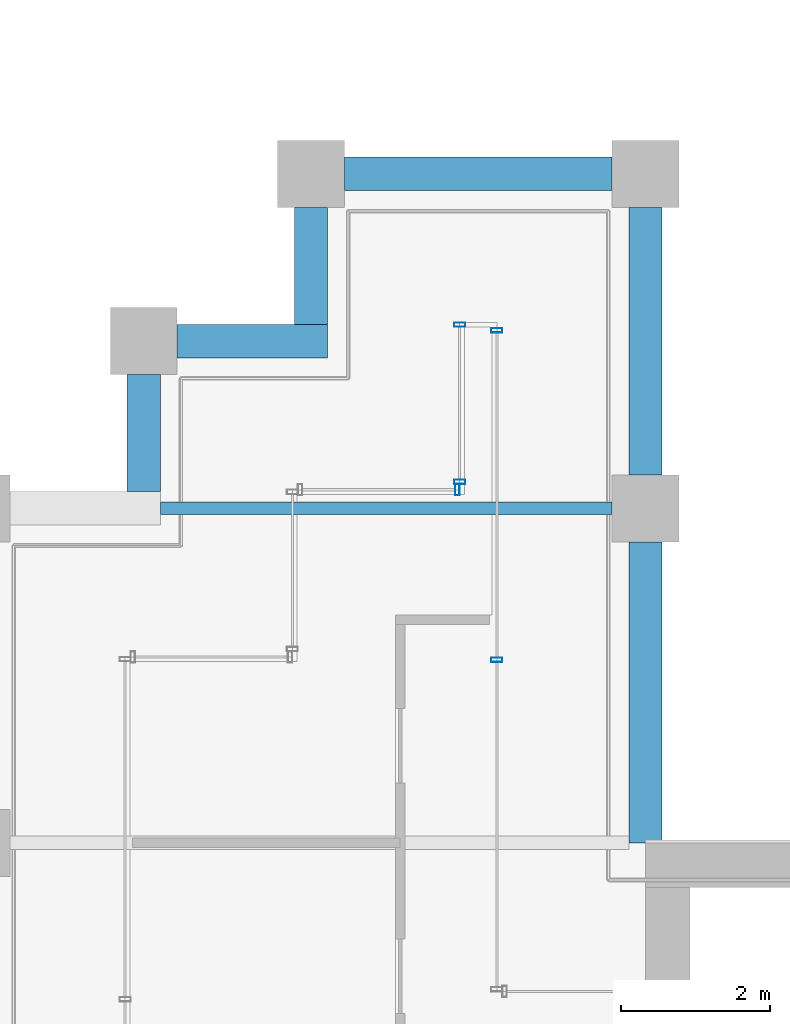
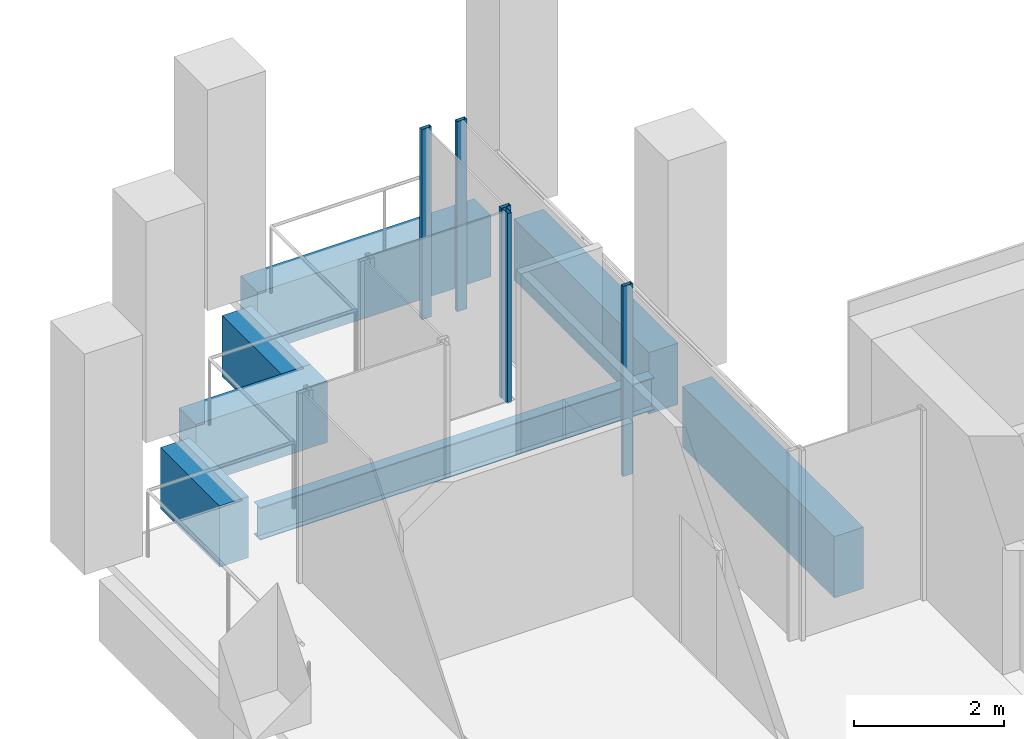
# One storey, part 33 of 40: 7 beams, 5 members, 3 elements without a shape of their own.
"""IFC4 building model written with IfcOpenShell, lengths in metres."""

from ifc_helpers import new_model, si_unit, direction, frame, origin, origin_2d, place, context, subcontext, project, spatial, rectangle, hollow_rectangle, i_section, extrude, material, material_profile, profile_set, type_object, element, aggregate, save


model = new_model("IFC4")

# Units and contexts
model_context = context("Model", 3, precision=1e-05, world=origin(), true_north=direction((0.0, 1.0)))
body_context = subcontext(model_context, "Body", "Model", "MODEL_VIEW")
ifc_project = project(units=[si_unit("LENGTHUNIT", "METRE"), si_unit("AREAUNIT", "SQUARE_METRE"), si_unit("VOLUMEUNIT", "CUBIC_METRE"), si_unit("PLANEANGLEUNIT", "RADIAN"), si_unit("MASSUNIT", "GRAM", prefix="KILO")], contexts=[model_context])

# Site, building, storey
site_placement = place(None, origin())
site = spatial("IfcSite", under=ifc_project, at=site_placement, CompositionType="ELEMENT")
building_placement = place(site_placement, origin())
building = spatial("IfcBuilding", under=site, at=building_placement, Name="Altepetl Exchange Towers", CompositionType="ELEMENT")
storey_placement = place(building_placement, frame((0.0, 0.0, 183.39990234375)))
storey = spatial("IfcBuildingStorey", under=building, at=storey_placement, Name="L46", CompositionType="ELEMENT", Elevation=183.39990234375)

# Beam
ifc_material_1 = material(Name="Steel S355", Category="steel")
ifc_material_profile_1 = material_profile(ifc_material_1, i_section(OverallWidth=0.166015625, OverallDepth=0.529052734375, WebThickness=0.009765625, FlangeThickness=0.013671875, at=origin_2d()), Name="W21X50")
ifc_profile_set_1 = profile_set([ifc_material_profile_1], Name="Steel S355")
beam_type_1 = type_object("IfcBeamType", Name="Floor beam W21X50", PredefinedType="BEAM", material=ifc_profile_set_1)
beam_1_placement = place(storey_placement, frame((96.97509765625, 54.0, -0.414306640625), z_axis=(1.0, 0.0, 0.0), x_axis=(0.0, 1.0, 0.0)))
element("IfcBeam", 1, at=beam_1_placement, inside=storey, type_object=beam_type_1, Name="bm:B:L46:007", PredefinedType="BEAM", context=body_context, shape_type="SweptSolid", body=[
    extrude(i_section(OverallWidth=0.166015625, OverallDepth=0.529052734375, WebThickness=0.009765625, FlangeThickness=0.013671875, at=origin_2d()), origin(), (0.0, 0.0, 1.0), 6.074951171875),
])

# Curtain wall, members
ifc_material_2 = material(Name="Aluminium 6063-T6 glazing", Category="aluminium")
curtain_wall_type = type_object("IfcCurtainWallType", Name="Loggia glazing system", PredefinedType="NOTDEFINED", material=ifc_material_2)
curtain_wall_1_placement = place(storey_placement, origin())
curtain_wall_1 = element("IfcCurtainWall", 2, at=curtain_wall_1_placement, inside=storey, type_object=curtain_wall_type, Name="CW1 run", PredefinedType="NOTDEFINED")
ifc_material_3 = material(Name="Aluminium 6063-T6", Category="aluminium")
ifc_material_profile_2 = material_profile(ifc_material_3, hollow_rectangle(XDim=0.06005859375, YDim=0.14990234375, WallThickness=0.0029296875, at=origin_2d()), Name="Mullion 60x150 aluminium")
ifc_profile_set_2 = profile_set([ifc_material_profile_2], Name="Aluminium 6063-T6")
member_type = type_object("IfcMemberType", Name="Mullion 60x150 aluminium", PredefinedType="MULLION", material=ifc_profile_set_2)
member_1_placement = place(storey_placement, frame((101.5, 51.96240234375, 0.0), z_axis=(0.0, 0.0, 1.0), x_axis=(0.0, 1.0, 0.0)))
member_1 = element("IfcMember", 3, at=member_1_placement, type_object=member_type, Name="MU1 mullion", PredefinedType="MULLION", context=body_context, shape_type="SweptSolid", body=[
    extrude(hollow_rectangle(XDim=0.06005859375, YDim=0.14990234375, WallThickness=0.0029296875, at=origin_2d()), origin(), (0.0, 0.0, 1.0), 3.10009765625),
])
member_2_placement = place(storey_placement, frame((101.5, 56.39501953125, 0.0), z_axis=(0.0, 0.0, 1.0), x_axis=(0.0, 1.0, 0.0)))
member_2 = element("IfcMember", 4, at=member_2_placement, type_object=member_type, Name="MU1 mullion", PredefinedType="MULLION", context=body_context, shape_type="SweptSolid", body=[
    extrude(hollow_rectangle(XDim=0.06005859375, YDim=0.14990234375, WallThickness=0.0029296875, at=origin_2d()), origin(), (0.0, 0.0, 1.0), 3.10009765625),
])
aggregate(curtain_wall_1, [member_1, member_2])

curtain_wall_2_placement = place(storey_placement, origin())
curtain_wall_2 = element("IfcCurtainWall", 5, at=curtain_wall_2_placement, inside=storey, type_object=curtain_wall_type, Name="CW1 run", PredefinedType="NOTDEFINED")
member_3_placement = place(storey_placement, frame((101.0, 56.469970703125, 0.0), z_axis=(0.0, 0.0, 1.0), x_axis=(0.0, -1.0, 0.0)))
member_3 = element("IfcMember", 6, at=member_3_placement, type_object=member_type, Name="MU1 mullion", PredefinedType="MULLION", context=body_context, shape_type="SweptSolid", body=[
    extrude(hollow_rectangle(XDim=0.06005859375, YDim=0.14990234375, WallThickness=0.0029296875, at=origin_2d()), origin(), (0.0, 0.0, 1.0), 3.10009765625),
])
member_4_placement = place(storey_placement, frame((101.0, 54.35498046875, 0.0), z_axis=(0.0, 0.0, 1.0), x_axis=(0.0, -1.0, 0.0)))
member_4 = element("IfcMember", 7, at=member_4_placement, type_object=member_type, Name="MU1 mullion", PredefinedType="MULLION", context=body_context, shape_type="SweptSolid", body=[
    extrude(hollow_rectangle(XDim=0.06005859375, YDim=0.14990234375, WallThickness=0.0029296875, at=origin_2d()), origin(), (0.0, 0.0, 1.0), 3.10009765625),
])
aggregate(curtain_wall_2, [member_3, member_4])

# Curtain wall, member
curtain_wall_3_placement = place(storey_placement, origin())
curtain_wall_3 = element("IfcCurtainWall", 8, at=curtain_wall_3_placement, inside=storey, type_object=curtain_wall_type, Name="CW1 run", PredefinedType="NOTDEFINED")
member_5_placement = place(storey_placement, frame((100.969970703125, 54.25, 0.0), z_axis=(0.0, 0.0, 1.0), x_axis=(-1.0, 0.0, 0.0)))
member_5 = element("IfcMember", 9, at=member_5_placement, type_object=member_type, Name="MU1 mullion", PredefinedType="MULLION", context=body_context, shape_type="SweptSolid", body=[
    extrude(hollow_rectangle(XDim=0.06005859375, YDim=0.14990234375, WallThickness=0.0029296875, at=origin_2d()), origin(), (0.0, 0.0, 1.0), 3.10009765625),
])
aggregate(curtain_wall_3, [member_5])

# Beams
ifc_material_4 = material(Name="Concrete C50/60 precast with cantera rosa facing", Category="concrete")
ifc_material_profile_3 = material_profile(ifc_material_4, rectangle(XDim=0.449951171875, YDim=1.0, at=origin_2d()), Name="450 x 1000")
ifc_profile_set_3 = profile_set([ifc_material_profile_3], Name="Concrete C50/60 precast with cantera rosa facing")
beam_type_2 = type_object("IfcBeamType", Name="Spandrel beam 450x1000 cantera rosa", PredefinedType="SPANDREL", material=ifc_profile_set_3)
beam_2_placement = place(storey_placement, frame((103.5, 49.5, -0.64990234375), z_axis=(0.0, 1.0, 0.0), x_axis=(-1.0, 0.0, 0.0)))
element("IfcBeam", 10, at=beam_2_placement, inside=storey, type_object=beam_type_2, Name="sp:B:L46:008", PredefinedType="SPANDREL", context=body_context, shape_type="SweptSolid", body=[
    extrude(rectangle(XDim=0.449951171875, YDim=1.0, at=origin_2d()), origin(), (0.0, 0.0, 1.0), 4.050048828125),
])
for number, where, z_axis, x_axis, name in (
    (11, (103.5, 54.449951171875, -0.64990234375), (0.0, 1.0, 0.0), (-1.0, 0.0, 0.0), "sp:B:L46:009"),
    (12, (103.050048828125, 58.5, -0.64990234375), (-1.0, 0.0, 0.0), (0.0, -1.0, 0.0), "sp:B:L46:010"),
):
    element("IfcBeam", number, at=place(storey_placement, frame(where, z_axis=z_axis, x_axis=x_axis)), inside=storey, type_object=beam_type_2, Name=name, PredefinedType="SPANDREL", context=body_context, shape_type="SweptSolid", body=[
        extrude(rectangle(XDim=0.449951171875, YDim=1.0, at=origin_2d()), origin(), (0.0, 0.0, 1.0), 3.60009765625),
    ])
beam_3_placement = place(storey_placement, frame((99.0, 58.050048828125, -0.64990234375), z_axis=(0.0, -1.0, 0.0), x_axis=(1.0, 0.0, 0.0)))
element("IfcBeam", 13, at=beam_3_placement, inside=storey, type_object=beam_type_2, Name="sp:B:L46:011", PredefinedType="SPANDREL", context=body_context, shape_type="SweptSolid", body=[
    extrude(rectangle(XDim=0.449951171875, YDim=1.0, at=origin_2d()), origin(), (0.0, 0.0, 1.0), 1.574951171875),
])
beam_4_placement = place(storey_placement, frame((99.22509765625, 56.25, -0.64990234375), z_axis=(-1.0, 0.0, 0.0), x_axis=(0.0, -1.0, 0.0)))
element("IfcBeam", 14, at=beam_4_placement, inside=storey, type_object=beam_type_2, Name="sp:B:L46:012", PredefinedType="SPANDREL", context=body_context, shape_type="SweptSolid", body=[
    extrude(rectangle(XDim=0.449951171875, YDim=1.0, at=origin_2d()), origin(), (0.0, 0.0, 1.0), 2.025146484375),
])
beam_5_placement = place(storey_placement, frame((96.75, 55.800048828125, -0.64990234375), z_axis=(0.0, -1.0, 0.0), x_axis=(1.0, 0.0, 0.0)))
element("IfcBeam", 15, at=beam_5_placement, inside=storey, type_object=beam_type_2, Name="sp:B:L46:013", PredefinedType="SPANDREL", context=body_context, shape_type="SweptSolid", body=[
    extrude(rectangle(XDim=0.449951171875, YDim=1.0, at=origin_2d()), origin(), (0.0, 0.0, 1.0), 1.574951171875),
])

save(model, "model.ifc")
